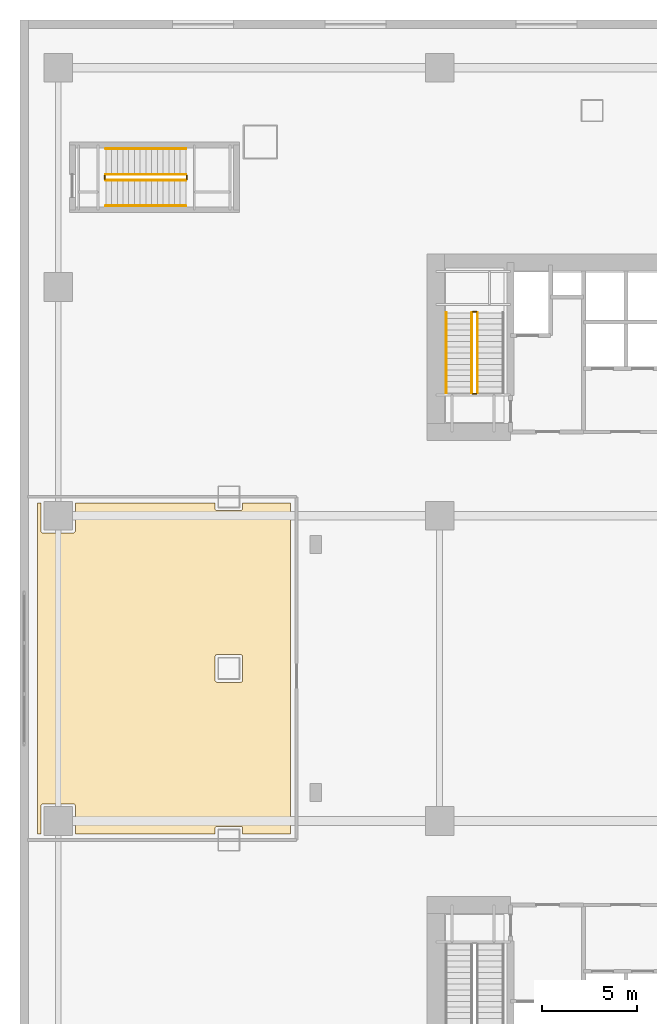
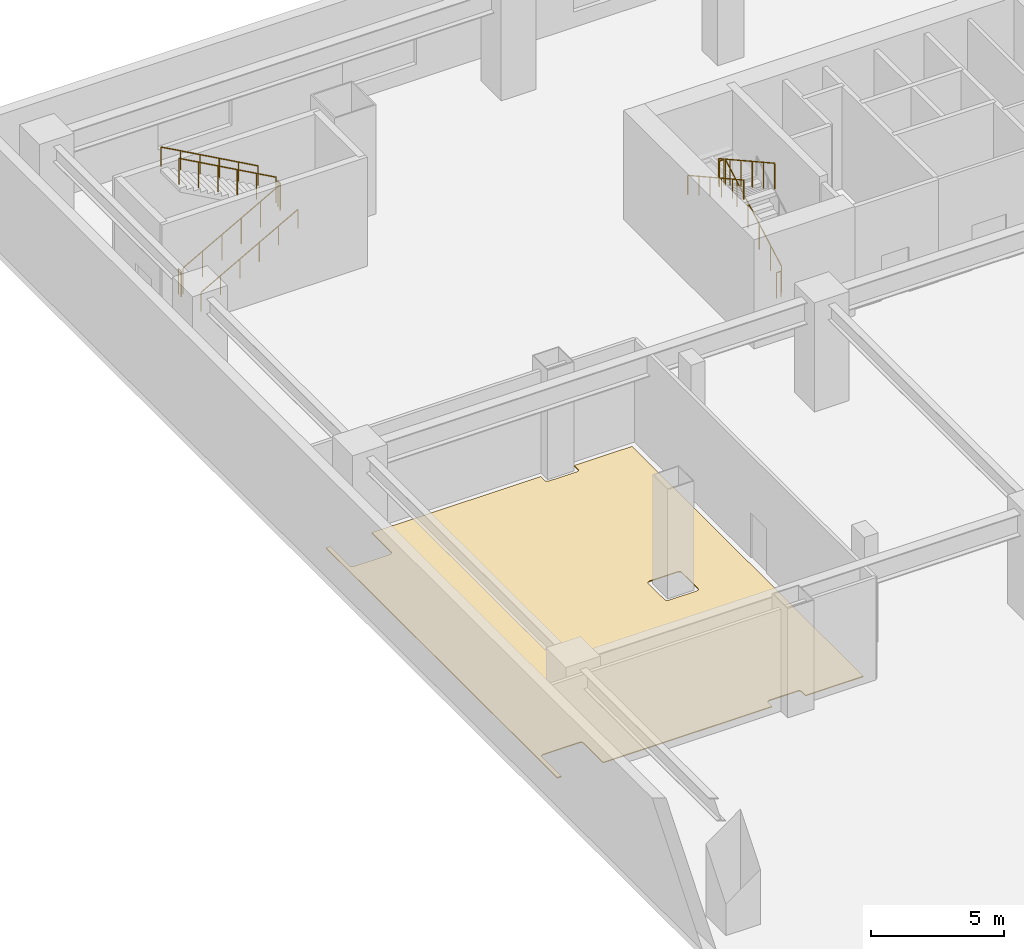
# One storey, part 32 of 35: 11 railings, 1 covering.
"""IFC4 building model written with IfcOpenShell, lengths in metres."""

from ifc_helpers import new_model, si_unit, direction, frame, origin, origin_2d, place, context, subcontext, project, spatial, polyline, circle, outline, extrude, material, layer, layer_set, type_object, element, save


model = new_model("IFC4")

# Units and contexts
model_context = context("Model", 3, precision=1e-05, world=origin(), true_north=direction((0.0, 1.0)))
body_context = subcontext(model_context, "Body", "Model", "MODEL_VIEW")
ifc_project = project(units=[si_unit("LENGTHUNIT", "METRE"), si_unit("AREAUNIT", "SQUARE_METRE"), si_unit("VOLUMEUNIT", "CUBIC_METRE"), si_unit("PLANEANGLEUNIT", "RADIAN"), si_unit("MASSUNIT", "GRAM", prefix="KILO")], contexts=[model_context])

# Site, building, storey
site_placement = place(None, origin())
site = spatial("IfcSite", under=ifc_project, at=site_placement, CompositionType="ELEMENT")
building_placement = place(site_placement, origin())
building = spatial("IfcBuilding", under=site, at=building_placement, Name="Qiaolan Cultural Towers", CompositionType="ELEMENT")
storey_placement = place(building_placement, frame((0.0, 0.0, 11.5)))
storey = spatial("IfcBuildingStorey", under=building, at=storey_placement, Name="L02", CompositionType="ELEMENT", Elevation=11.5)

# Covering
ifc_material_1 = material(Name="Honed Terrazzo & Raised Access Flooring", Category="concrete")
ifc_layer = layer(ifc_material_1, 0.0400390625)
ifc_layer_set = layer_set([ifc_layer], Name="Honed Terrazzo & Raised Access Flooring")
covering_type = type_object("IfcCoveringType", Name="COV-FLR-STONE", PredefinedType="FLOORING", material=ifc_layer_set)
covering_placement = place(storey_placement, origin())
element("IfcCovering", 1, at=covering_placement, inside=storey, type_object=covering_type, Name="L02 L02 Contemporary Painting & Sculpture Gallery Finish Flooring", PredefinedType="FLOORING", context=body_context, shape_type="SweptSolid", body=[
    extrude(outline(polyline([(1.10009765625, 26.780029296875), (1.1005859375, 26.791748046875), (1.102294921875, 26.803466796875), (1.105224609375, 26.81494140625), (1.109130859375, 26.825927734375), (1.1142578125, 26.836669921875), (1.1201171875, 26.8466796875), (1.127197265625, 26.856201171875), (1.13525390625, 26.86474609375), (1.143798828125, 26.872802734375), (1.1533203125, 26.8798828125), (1.163330078125, 26.8857421875), (1.174072265625, 26.890869140625), (1.18505859375, 26.894775390625), (1.196533203125, 26.897705078125), (1.208251953125, 26.8994140625), (1.219970703125, 26.89990234375), (2.780029296875, 26.89990234375), (2.791748046875, 26.8994140625), (2.803466796875, 26.897705078125), (2.81494140625, 26.894775390625), (2.825927734375, 26.890869140625), (2.836669921875, 26.8857421875), (2.8466796875, 26.8798828125), (2.856201171875, 26.872802734375), (2.86474609375, 26.86474609375), (2.872802734375, 26.856201171875), (2.8798828125, 26.8466796875), (2.8857421875, 26.836669921875), (2.890869140625, 26.825927734375), (2.894775390625, 26.81494140625), (2.897705078125, 26.803466796875), (2.8994140625, 26.791748046875), (2.89990234375, 26.780029296875), (2.89990234375, 25.320068359375), (10.22509765625, 25.320068359375), (10.22509765625, 25.60498046875), (10.2255859375, 25.61669921875), (10.227294921875, 25.62841796875), (10.230224609375, 25.639892578125), (10.234130859375, 25.65087890625), (10.2392578125, 25.66162109375), (10.2451171875, 25.671630859375), (10.252197265625, 25.68115234375), (10.26025390625, 25.68994140625), (10.268798828125, 25.69775390625), (10.2783203125, 25.704833984375), (10.288330078125, 25.7109375), (10.299072265625, 25.7158203125), (10.31005859375, 25.7197265625), (10.321533203125, 25.72265625), (10.333251953125, 25.724365234375), (10.344970703125, 25.72509765625), (11.554931640625, 25.72509765625), (11.566650390625, 25.724365234375), (11.578369140625, 25.72265625), (11.58984375, 25.7197265625), (11.600830078125, 25.7158203125), (11.611572265625, 25.7109375), (11.62158203125, 25.704833984375), (11.631103515625, 25.69775390625), (11.639892578125, 25.68994140625), (11.647705078125, 25.68115234375), (11.65478515625, 25.671630859375), (11.660888671875, 25.66162109375), (11.665771484375, 25.65087890625), (11.669921875, 25.639892578125), (11.672607421875, 25.62841796875), (11.67431640625, 25.61669921875), (11.675048828125, 25.60498046875), (11.675048828125, 25.320068359375), (14.179931640625, 25.320068359375), (14.179931640625, 42.679931640625), (11.675048828125, 42.679931640625), (11.675048828125, 42.39501953125), (11.67431640625, 42.38330078125), (11.672607421875, 42.37158203125), (11.669921875, 42.360107421875), (11.665771484375, 42.34912109375), (11.660888671875, 42.33837890625), (11.65478515625, 42.328369140625), (11.647705078125, 42.31884765625), (11.639892578125, 42.31005859375), (11.631103515625, 42.30224609375), (11.62158203125, 42.295166015625), (11.611572265625, 42.2890625), (11.600830078125, 42.2841796875), (11.58984375, 42.2802734375), (11.578369140625, 42.27734375), (11.566650390625, 42.275634765625), (11.554931640625, 42.27490234375), (10.344970703125, 42.27490234375), (10.333251953125, 42.275634765625), (10.321533203125, 42.27734375), (10.31005859375, 42.2802734375), (10.299072265625, 42.2841796875), (10.288330078125, 42.2890625), (10.2783203125, 42.295166015625), (10.268798828125, 42.30224609375), (10.26025390625, 42.31005859375), (10.252197265625, 42.31884765625), (10.2451171875, 42.328369140625), (10.2392578125, 42.33837890625), (10.234130859375, 42.34912109375), (10.230224609375, 42.360107421875), (10.227294921875, 42.37158203125), (10.2255859375, 42.38330078125), (10.22509765625, 42.39501953125), (10.22509765625, 42.679931640625), (2.89990234375, 42.679931640625), (2.89990234375, 41.219970703125), (2.8994140625, 41.208251953125), (2.897705078125, 41.196533203125), (2.894775390625, 41.18505859375), (2.890869140625, 41.174072265625), (2.8857421875, 41.163330078125), (2.8798828125, 41.1533203125), (2.872802734375, 41.143798828125), (2.86474609375, 41.13525390625), (2.856201171875, 41.127197265625), (2.8466796875, 41.1201171875), (2.836669921875, 41.1142578125), (2.825927734375, 41.109130859375), (2.81494140625, 41.105224609375), (2.803466796875, 41.102294921875), (2.791748046875, 41.1005859375), (2.780029296875, 41.10009765625), (1.219970703125, 41.10009765625), (1.208251953125, 41.1005859375), (1.196533203125, 41.102294921875), (1.18505859375, 41.105224609375), (1.174072265625, 41.109130859375), (1.163330078125, 41.1142578125), (1.1533203125, 41.1201171875), (1.143798828125, 41.127197265625), (1.13525390625, 41.13525390625), (1.127197265625, 41.143798828125), (1.1201171875, 41.1533203125), (1.1142578125, 41.163330078125), (1.109130859375, 41.174072265625), (1.105224609375, 41.18505859375), (1.102294921875, 41.196533203125), (1.1005859375, 41.208251953125), (1.10009765625, 41.219970703125), (1.10009765625, 42.679931640625), (0.919921875, 42.679931640625), (0.919921875, 25.320068359375), (1.10009765625, 25.320068359375), (1.10009765625, 26.780029296875)]), holes=[polyline([(11.566650390625, 34.724365234375), (11.578369140625, 34.72265625), (11.58984375, 34.7197265625), (11.600830078125, 34.7158203125), (11.611572265625, 34.7109375), (11.62158203125, 34.704833984375), (11.631103515625, 34.69775390625), (11.639892578125, 34.68994140625), (11.647705078125, 34.68115234375), (11.65478515625, 34.671630859375), (11.660888671875, 34.66162109375), (11.665771484375, 34.65087890625), (11.669921875, 34.639892578125), (11.672607421875, 34.62841796875), (11.67431640625, 34.61669921875), (11.675048828125, 34.60498046875), (11.675048828125, 33.39501953125), (11.67431640625, 33.38330078125), (11.672607421875, 33.37158203125), (11.669921875, 33.360107421875), (11.665771484375, 33.34912109375), (11.660888671875, 33.33837890625), (11.65478515625, 33.328369140625), (11.647705078125, 33.31884765625), (11.639892578125, 33.31005859375), (11.631103515625, 33.30224609375), (11.62158203125, 33.295166015625), (11.611572265625, 33.2890625), (11.600830078125, 33.2841796875), (11.58984375, 33.2802734375), (11.578369140625, 33.27734375), (11.566650390625, 33.275634765625), (11.554931640625, 33.27490234375), (10.344970703125, 33.27490234375), (10.333251953125, 33.275634765625), (10.321533203125, 33.27734375), (10.31005859375, 33.2802734375), (10.299072265625, 33.2841796875), (10.288330078125, 33.2890625), (10.2783203125, 33.295166015625), (10.268798828125, 33.30224609375), (10.26025390625, 33.31005859375), (10.252197265625, 33.31884765625), (10.2451171875, 33.328369140625), (10.2392578125, 33.33837890625), (10.234130859375, 33.34912109375), (10.230224609375, 33.360107421875), (10.227294921875, 33.37158203125), (10.2255859375, 33.38330078125), (10.22509765625, 33.39501953125), (10.22509765625, 34.60498046875), (10.2255859375, 34.61669921875), (10.227294921875, 34.62841796875), (10.230224609375, 34.639892578125), (10.234130859375, 34.65087890625), (10.2392578125, 34.66162109375), (10.2451171875, 34.671630859375), (10.252197265625, 34.68115234375), (10.26025390625, 34.68994140625), (10.268798828125, 34.69775390625), (10.2783203125, 34.704833984375), (10.288330078125, 34.7109375), (10.299072265625, 34.7158203125), (10.31005859375, 34.7197265625), (10.321533203125, 34.72265625), (10.333251953125, 34.724365234375), (10.344970703125, 34.72509765625), (11.554931640625, 34.72509765625), (11.566650390625, 34.724365234375)])]), origin(), (0.0, 0.0, 1.0), 0.0400390625),
])

# Railings
ifc_material_2 = material(Name="Galvanized Painted Steel Stair Guardrail", Category="steel")
railing_type_1 = type_object("IfcRailingType", Name="RL-STAIR-GRD", PredefinedType="GUARDRAIL", material=ifc_material_2)
railing_1_placement = place(storey_placement, frame((23.989990234375, 48.449951171875, 0.166748046875)))
element("IfcRailing", 2, at=railing_1_placement, inside=storey, type_object=railing_type_1, Name="L02 ST-W2 stair guard 1", PredefinedType="GUARDRAIL", context=body_context, shape_type="SweptSolid", body=[
    extrude(circle(Radius=0.02392578125, at=origin_2d()), frame((0.0, 0.0, 1.17578125), z_axis=(0.0, 0.874162069901, 0.485634302275), x_axis=(-1.0, 0.0, 0.0)), (0.0, 0.0, 1.0), 4.804443359375),
    extrude(circle(Radius=0.02099609375, at=origin_2d()), origin(), (0.0, 0.0, 1.0), 1.15185546875),
    extrude(circle(Radius=0.02099609375, at=origin_2d()), frame((0.0, 0.840087890625, 0.466552734375)), (0.0, 0.0, 1.0), 1.15185546875),
    extrude(circle(Radius=0.02099609375, at=origin_2d()), frame((0.0, 1.679931640625, 0.933349609375)), (0.0, 0.0, 1.0), 1.15185546875),
    extrude(circle(Radius=0.02099609375, at=origin_2d()), frame((0.0, 2.52001953125, 1.39990234375)), (0.0, 0.0, 1.0), 1.15185546875),
    extrude(circle(Radius=0.02099609375, at=origin_2d()), frame((0.0, 3.35986328125, 1.86669921875)), (0.0, 0.0, 1.0), 1.15185546875),
    extrude(circle(Radius=0.02099609375, at=origin_2d()), frame((0.0, 4.199951171875, 2.333251953125)), (0.0, 0.0, 1.0), 1.15185546875),
])
railing_2_placement = place(storey_placement, frame((23.93994140625, 52.699951171875, 2.5)))
element("IfcRailing", 3, at=railing_2_placement, inside=storey, type_object=railing_type_1, Name="L02 ST-W2 stair guard 2", PredefinedType="GUARDRAIL", context=body_context, shape_type="SweptSolid", body=[
    extrude(circle(Radius=0.02392578125, at=origin_2d()), frame((0.0, 0.0, 1.17578125), z_axis=(-1.0, 0.0, 0.0), x_axis=(0.0, -1.0, 0.0)), (0.0, 0.0, 1.0), 0.199951171875),
    extrude(circle(Radius=0.02099609375, at=origin_2d()), origin(), (0.0, 0.0, 1.0), 1.15185546875),
    extrude(circle(Radius=0.02099609375, at=origin_2d()), frame((-0.199951171875, 0.0, 0.0)), (0.0, 0.0, 1.0), 1.15185546875),
])
railing_3_placement = place(storey_placement, frame((23.68994140625, 52.64990234375, 2.666748046875)))
element("IfcRailing", 4, at=railing_3_placement, inside=storey, type_object=railing_type_1, Name="L02 ST-W2 stair guard 3", PredefinedType="GUARDRAIL", context=body_context, shape_type="SweptSolid", body=[
    extrude(circle(Radius=0.02392578125, at=origin_2d()), frame((0.0, 0.0, 1.17578125), z_axis=(0.0, -0.874162069901, 0.485634302275), x_axis=(1.0, 0.0, 0.0)), (0.0, 0.0, 1.0), 4.804443359375),
    extrude(circle(Radius=0.02099609375, at=origin_2d()), origin(), (0.0, 0.0, 1.0), 1.15185546875),
    extrude(circle(Radius=0.02099609375, at=origin_2d()), frame((0.0, -0.840087890625, 0.466552734375)), (0.0, 0.0, 1.0), 1.15185546875),
    extrude(circle(Radius=0.02099609375, at=origin_2d()), frame((0.0, -1.679931640625, 0.933349609375)), (0.0, 0.0, 1.0), 1.15185546875),
    extrude(circle(Radius=0.02099609375, at=origin_2d()), frame((0.0, -2.52001953125, 1.39990234375)), (0.0, 0.0, 1.0), 1.15185546875),
    extrude(circle(Radius=0.02099609375, at=origin_2d()), frame((0.0, -3.35986328125, 1.86669921875)), (0.0, 0.0, 1.0), 1.15185546875),
    extrude(circle(Radius=0.02099609375, at=origin_2d()), frame((0.0, -4.199951171875, 2.333251953125)), (0.0, 0.0, 1.0), 1.15185546875),
])
railing_4_placement = place(storey_placement, frame((23.93994140625, 48.39990234375, 0.0)))
element("IfcRailing", 5, at=railing_4_placement, inside=storey, type_object=railing_type_1, Name="L02 ST-W2 stair guard 4", PredefinedType="GUARDRAIL", context=body_context, shape_type="SweptSolid", body=[
    extrude(circle(Radius=0.02392578125, at=origin_2d()), frame((0.0, 0.0, 1.17578125), z_axis=(-1.0, 0.0, 0.0), x_axis=(0.0, -1.0, 0.0)), (0.0, 0.0, 1.0), 0.199951171875),
    extrude(circle(Radius=0.02099609375, at=origin_2d()), origin(), (0.0, 0.0, 1.0), 1.15185546875),
    extrude(circle(Radius=0.02099609375, at=origin_2d()), frame((-0.199951171875, 0.0, 0.0)), (0.0, 0.0, 1.0), 1.15185546875),
])
railing_5_placement = place(storey_placement, frame((4.5, 59.60009765625, 0.166748046875)))
element("IfcRailing", 6, at=railing_5_placement, inside=storey, type_object=railing_type_1, Name="L02 ST-P1 stair guard 1", PredefinedType="GUARDRAIL", context=body_context, shape_type="SweptSolid", body=[
    extrude(circle(Radius=0.02392578125, at=origin_2d()), frame((0.0, 0.0, 1.17578125), z_axis=(0.874162069901, 0.0, 0.485634302275), x_axis=(0.0, 1.0, 0.0)), (0.0, 0.0, 1.0), 4.804443359375),
    extrude(circle(Radius=0.02099609375, at=origin_2d()), origin(), (0.0, 0.0, 1.0), 1.15185546875),
    extrude(circle(Radius=0.02099609375, at=origin_2d()), frame((0.840087890625, 0.0, 0.466552734375)), (0.0, 0.0, 1.0), 1.15185546875),
    extrude(circle(Radius=0.02099609375, at=origin_2d()), frame((1.679931640625, 0.0, 0.933349609375)), (0.0, 0.0, 1.0), 1.15185546875),
    extrude(circle(Radius=0.02099609375, at=origin_2d()), frame((2.52001953125, 0.0, 1.39990234375)), (0.0, 0.0, 1.0), 1.15185546875),
    extrude(circle(Radius=0.02099609375, at=origin_2d()), frame((3.35986328125, 0.0, 1.86669921875)), (0.0, 0.0, 1.0), 1.15185546875),
    extrude(circle(Radius=0.02099609375, at=origin_2d()), frame((4.199951171875, 0.0, 2.333251953125)), (0.0, 0.0, 1.0), 1.15185546875),
])
railing_6_placement = place(storey_placement, frame((8.75, 59.64990234375, 2.5)))
element("IfcRailing", 7, at=railing_6_placement, inside=storey, type_object=railing_type_1, Name="L02 ST-P1 stair guard 2", PredefinedType="GUARDRAIL", context=body_context, shape_type="SweptSolid", body=[
    extrude(circle(Radius=0.02392578125, at=origin_2d()), frame((0.0, 0.0, 1.17578125), z_axis=(0.0, 1.0, 0.0), x_axis=(-1.0, 0.0, 0.0)), (0.0, 0.0, 1.0), 0.2001953125),
    extrude(circle(Radius=0.02099609375, at=origin_2d()), origin(), (0.0, 0.0, 1.0), 1.15185546875),
    extrude(circle(Radius=0.02099609375, at=origin_2d()), frame((0.0, 0.2001953125, 0.0)), (0.0, 0.0, 1.0), 1.15185546875),
])
railing_7_placement = place(storey_placement, frame((8.699951171875, 59.89990234375, 2.666748046875)))
element("IfcRailing", 8, at=railing_7_placement, inside=storey, type_object=railing_type_1, Name="L02 ST-P1 stair guard 3", PredefinedType="GUARDRAIL", context=body_context, shape_type="SweptSolid", body=[
    extrude(circle(Radius=0.02392578125, at=origin_2d()), frame((0.0, 0.0, 1.17578125), z_axis=(-0.874162069901, 0.0, 0.485634302275), x_axis=(0.0, -1.0, 0.0)), (0.0, 0.0, 1.0), 4.804443359375),
    extrude(circle(Radius=0.02099609375, at=origin_2d()), origin(), (0.0, 0.0, 1.0), 1.15185546875),
    extrude(circle(Radius=0.02099609375, at=origin_2d()), frame((-0.840087890625, 0.0, 0.466552734375)), (0.0, 0.0, 1.0), 1.15185546875),
    extrude(circle(Radius=0.02099609375, at=origin_2d()), frame((-1.679931640625, 0.0, 0.933349609375)), (0.0, 0.0, 1.0), 1.15185546875),
    extrude(circle(Radius=0.02099609375, at=origin_2d()), frame((-2.52001953125, 0.0, 1.39990234375)), (0.0, 0.0, 1.0), 1.15185546875),
    extrude(circle(Radius=0.02099609375, at=origin_2d()), frame((-3.35986328125, 0.0, 1.86669921875)), (0.0, 0.0, 1.0), 1.15185546875),
    extrude(circle(Radius=0.02099609375, at=origin_2d()), frame((-4.199951171875, 0.0, 2.333251953125)), (0.0, 0.0, 1.0), 1.15185546875),
])
railing_8_placement = place(storey_placement, frame((4.449951171875, 59.64990234375, 0.0)))
element("IfcRailing", 9, at=railing_8_placement, inside=storey, type_object=railing_type_1, Name="L02 ST-P1 stair guard 4", PredefinedType="GUARDRAIL", context=body_context, shape_type="SweptSolid", body=[
    extrude(circle(Radius=0.02392578125, at=origin_2d()), frame((0.0, 0.0, 1.17578125), z_axis=(0.0, 1.0, 0.0), x_axis=(-1.0, 0.0, 0.0)), (0.0, 0.0, 1.0), 0.2001953125),
    extrude(circle(Radius=0.02099609375, at=origin_2d()), origin(), (0.0, 0.0, 1.0), 1.15185546875),
    extrude(circle(Radius=0.02099609375, at=origin_2d()), frame((0.0, 0.2001953125, 0.0)), (0.0, 0.0, 1.0), 1.15185546875),
])
ifc_material_3 = material(Name="Stainless Steel S30408 Tubular Handrail", Category="steel")
railing_type_2 = type_object("IfcRailingType", Name="RL-STAIR-HR", PredefinedType="HANDRAIL", material=ifc_material_3)
railing_9_placement = place(storey_placement, frame((22.35009765625, 52.64990234375, 2.666748046875)))
element("IfcRailing", 10, at=railing_9_placement, inside=storey, type_object=railing_type_2, Name="L02 ST-W2 stair handrail 2", PredefinedType="HANDRAIL", context=body_context, shape_type="SweptSolid", body=[
    extrude(circle(Radius=0.02392578125, at=origin_2d()), frame((0.0, 0.0, 0.8759765625), z_axis=(0.0, -0.874162069901, 0.485634302275), x_axis=(1.0, 0.0, 0.0)), (0.0, 0.0, 1.0), 4.804443359375),
    extrude(circle(Radius=0.02099609375, at=origin_2d()), origin(), (0.0, 0.0, 1.0), 0.851806640625),
    extrude(circle(Radius=0.02099609375, at=origin_2d()), frame((0.0, -0.840087890625, 0.466552734375)), (0.0, 0.0, 1.0), 0.851806640625),
    extrude(circle(Radius=0.02099609375, at=origin_2d()), frame((0.0, -1.679931640625, 0.933349609375)), (0.0, 0.0, 1.0), 0.851806640625),
    extrude(circle(Radius=0.02099609375, at=origin_2d()), frame((0.0, -2.52001953125, 1.39990234375)), (0.0, 0.0, 1.0), 0.851806640625),
    extrude(circle(Radius=0.02099609375, at=origin_2d()), frame((0.0, -3.35986328125, 1.86669921875)), (0.0, 0.0, 1.0), 0.851806640625),
    extrude(circle(Radius=0.02099609375, at=origin_2d()), frame((0.0, -4.199951171875, 2.333251953125)), (0.0, 0.0, 1.0), 0.851806640625),
])
railing_10_placement = place(storey_placement, frame((4.5, 58.25, 0.166748046875)))
element("IfcRailing", 11, at=railing_10_placement, inside=storey, type_object=railing_type_2, Name="L02 ST-P1 stair handrail 1", PredefinedType="HANDRAIL", context=body_context, shape_type="SweptSolid", body=[
    extrude(circle(Radius=0.02392578125, at=origin_2d()), frame((0.0, 0.0, 0.8759765625), z_axis=(0.874162069901, 0.0, 0.485634302275), x_axis=(0.0, 1.0, 0.0)), (0.0, 0.0, 1.0), 4.804443359375),
    extrude(circle(Radius=0.02099609375, at=origin_2d()), origin(), (0.0, 0.0, 1.0), 0.851806640625),
    extrude(circle(Radius=0.02099609375, at=origin_2d()), frame((0.840087890625, 0.0, 0.466552734375)), (0.0, 0.0, 1.0), 0.851806640625),
    extrude(circle(Radius=0.02099609375, at=origin_2d()), frame((1.679931640625, 0.0, 0.933349609375)), (0.0, 0.0, 1.0), 0.851806640625),
    extrude(circle(Radius=0.02099609375, at=origin_2d()), frame((2.52001953125, 0.0, 1.39990234375)), (0.0, 0.0, 1.0), 0.851806640625),
    extrude(circle(Radius=0.02099609375, at=origin_2d()), frame((3.35986328125, 0.0, 1.86669921875)), (0.0, 0.0, 1.0), 0.851806640625),
    extrude(circle(Radius=0.02099609375, at=origin_2d()), frame((4.199951171875, 0.0, 2.333251953125)), (0.0, 0.0, 1.0), 0.851806640625),
])
railing_11_placement = place(storey_placement, frame((8.699951171875, 61.25, 2.666748046875)))
element("IfcRailing", 12, at=railing_11_placement, inside=storey, type_object=railing_type_2, Name="L02 ST-P1 stair handrail 2", PredefinedType="HANDRAIL", context=body_context, shape_type="SweptSolid", body=[
    extrude(circle(Radius=0.02392578125, at=origin_2d()), frame((0.0, 0.0, 0.8759765625), z_axis=(-0.874162069901, 0.0, 0.485634302275), x_axis=(0.0, -1.0, 0.0)), (0.0, 0.0, 1.0), 4.804443359375),
    extrude(circle(Radius=0.02099609375, at=origin_2d()), origin(), (0.0, 0.0, 1.0), 0.851806640625),
    extrude(circle(Radius=0.02099609375, at=origin_2d()), frame((-0.840087890625, 0.0, 0.466552734375)), (0.0, 0.0, 1.0), 0.851806640625),
    extrude(circle(Radius=0.02099609375, at=origin_2d()), frame((-1.679931640625, 0.0, 0.933349609375)), (0.0, 0.0, 1.0), 0.851806640625),
    extrude(circle(Radius=0.02099609375, at=origin_2d()), frame((-2.52001953125, 0.0, 1.39990234375)), (0.0, 0.0, 1.0), 0.851806640625),
    extrude(circle(Radius=0.02099609375, at=origin_2d()), frame((-3.35986328125, 0.0, 1.86669921875)), (0.0, 0.0, 1.0), 0.851806640625),
    extrude(circle(Radius=0.02099609375, at=origin_2d()), frame((-4.199951171875, 0.0, 2.333251953125)), (0.0, 0.0, 1.0), 0.851806640625),
])

save(model, "model.ifc")
